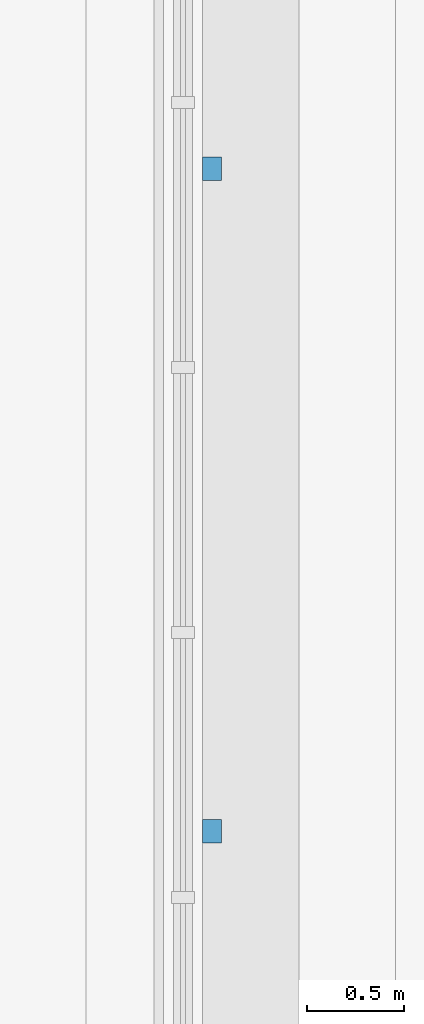
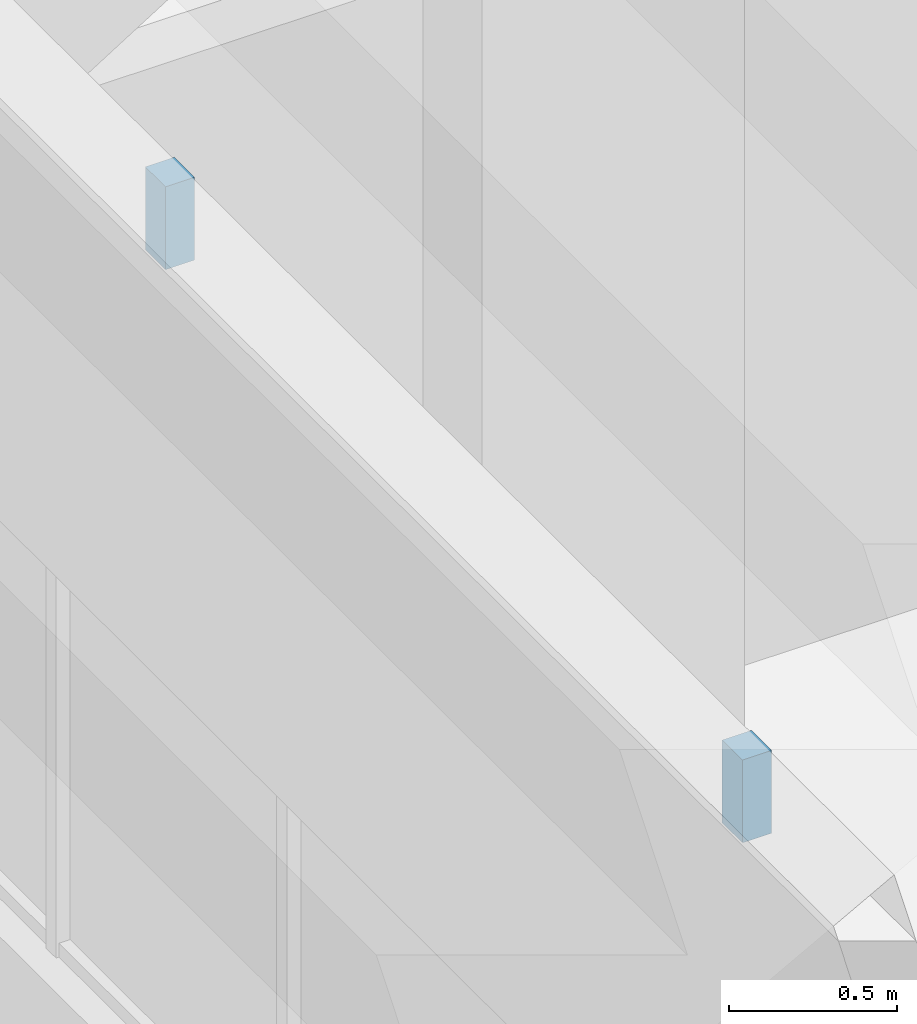
# One storey, part 122 of 182: 2 discrete accessories.
"""IFC4 building model written with IfcOpenShell, lengths in metres."""

import ifcopenshell
import ifcopenshell.guid

model = None  # the IFC model being written
_history = None  # IfcOwnerHistory: only IFC2X3 demands one
_inside = {}  # id of a spatial element -> (the spatial element, [elements in it])
_under = {}  # id of a project, library or spatial element -> (it, [spatial elements below it])
_declared = {}  # id of a project -> (the project, [libraries it declares])
_typed = {}  # id of a type object -> (the type object, [elements of that type])
_made_of = {}  # id of a material, layer set ... -> (it, [elements and type objects made of it])


def new_model(schema):
    """Start an empty IFC model of exactly this schema.

    Asked for "IFC4X3", IfcOpenShell would pick the latest addendum, in which some entities
    have other attributes; the version numbers below select the first issue.
    IFC2X3 requires an IfcOwnerHistory on every rooted entity: one is made here for all.
    """
    global model, _history
    if schema == "IFC4X3":
        model = ifcopenshell.file(schema_version=(4, 3, 0, 0))
    else:
        model = ifcopenshell.file(schema=schema)
    _inside.clear()
    _under.clear()
    _declared.clear()
    _typed.clear()
    _made_of.clear()
    _history = None
    if model.schema == "IFC2X3":
        org = make("IfcOrganization", Name="unknown")
        user = make(
            "IfcPersonAndOrganization",
            ThePerson=make("IfcPerson", FamilyName="unknown"),
            TheOrganization=org,
        )
        app = make(
            "IfcApplication",
            ApplicationDeveloper=org,
            Version="unknown",
            ApplicationFullName="unknown",
            ApplicationIdentifier="unknown",
        )
        _history = make(
            "IfcOwnerHistory",
            OwningUser=user,
            OwningApplication=app,
            ChangeAction="ADDED",
            CreationDate=0,
        )
    return model


def make(cls, **values):
    """One entity of the class cls with the attributes given. An attribute that is None is left unset."""
    return model.create_entity(
        cls, **{name: value for name, value in values.items() if value is not None}
    )


def rooted(cls, **values):
    """An entity with a GlobalId (a new one), such as an element, a storey or a relation."""
    return make(cls, GlobalId=ifcopenshell.guid.new(), OwnerHistory=_history, **values)


def si_unit(unit_type, name, prefix=None):
    """IfcSIUnit, for example si_unit("LENGTHUNIT", "METRE", prefix="MILLI")."""
    return make("IfcSIUnit", UnitType=unit_type, Prefix=prefix, Name=name)


def assignment(units):
    """IfcUnitAssignment: the units of a project."""
    return None if units is None else make("IfcUnitAssignment", Units=units)


def point(xyz):
    """IfcCartesianPoint."""
    return None if xyz is None else make("IfcCartesianPoint", Coordinates=xyz)


def direction(xyz):
    """IfcDirection."""
    return None if xyz is None else make("IfcDirection", DirectionRatios=xyz)


def frame(location, z_axis=None, x_axis=None):
    """IfcAxis2Placement3D, a coordinate frame: its origin and axes. An axis left out is left unset."""
    return make(
        "IfcAxis2Placement3D",
        Location=point(location),
        Axis=direction(z_axis),
        RefDirection=direction(x_axis),
    )


def frame_2d(location, x_axis=None):
    """IfcAxis2Placement2D, a coordinate frame in the plane: its origin and x axis."""
    return make(
        "IfcAxis2Placement2D", Location=point(location), RefDirection=direction(x_axis)
    )


def origin():
    """The frame at (0, 0, 0) with its axes left unset."""
    return frame((0.0, 0.0, 0.0))


def origin_2d():
    """The frame at (0, 0) in the plane with its x axis left unset."""
    return frame_2d((0.0, 0.0))


def place(relative_to, where):
    """IfcLocalPlacement: puts the frame where relative to a parent placement (None: the world)."""
    return make(
        "IfcLocalPlacement", PlacementRelTo=relative_to, RelativePlacement=where
    )


def context(
    kind, dimensions, precision=None, world=None, true_north=None, identifier=None
):
    """IfcGeometricRepresentationContext, for example the 3D "Model" context."""
    return make(
        "IfcGeometricRepresentationContext",
        ContextIdentifier=identifier,
        ContextType=kind,
        CoordinateSpaceDimension=dimensions,
        Precision=precision,
        WorldCoordinateSystem=world,
        TrueNorth=true_north,
    )


def subcontext(parent, identifier, kind, view, scale=None):
    """IfcGeometricRepresentationSubContext, for example "Body" below "Model"."""
    return make(
        "IfcGeometricRepresentationSubContext",
        ContextIdentifier=identifier,
        ContextType=kind,
        ParentContext=parent,
        TargetScale=scale,
        TargetView=view,
    )


def project(units=None, contexts=None):
    """IfcProject with its units and contexts."""
    return rooted(
        "IfcProject",
        Name="project",
        RepresentationContexts=contexts,
        UnitsInContext=assignment(units),
    )


def spatial(cls, under=None, at=None, **own):
    """A site, building, storey or space (cls), placed at a placement, below another one or the project."""
    s = rooted(cls, ObjectPlacement=at, **own)
    if under is not None:
        _under.setdefault(under.id(), (under, []))[1].append(s)
    return s


def profile(cls, at=None, kind="AREA", **sizes):
    """A parametric profile (cls). Its sizes go by their IFC names, for example OverallWidth=200.0."""
    return make(cls, ProfileType=kind, Position=at, **sizes)


def rectangle(**sizes):
    """IfcRectangleProfileDef."""
    return profile("IfcRectangleProfileDef", **sizes)


def extrude(swept, where, along, depth):
    """IfcExtrudedAreaSolid: the profile swept, set in the frame where, extruded along a direction by depth."""
    return make(
        "IfcExtrudedAreaSolid",
        SweptArea=swept,
        Position=where,
        ExtrudedDirection=direction(along),
        Depth=depth,
    )


def shape(context_of_items, identifier, shape_type, items):
    """IfcShapeRepresentation: the items that make up one representation, for example the "Body"."""
    return make(
        "IfcShapeRepresentation",
        ContextOfItems=context_of_items,
        RepresentationIdentifier=identifier,
        RepresentationType=shape_type,
        Items=items,
    )


def material(Name=None, Category=None):
    """IfcMaterial."""
    return make("IfcMaterial", Name=Name, Category=Category)


def made_of(thing, what):
    """Note that an element or type object is made of a material, layer set ...; save() writes the relation."""
    if what is not None:
        _made_of.setdefault(what.id(), (what, []))[1].append(thing)
    return thing


def type_object(cls, material=None, **own):
    """A type object (cls), such as IfcWallType, which elements share."""
    return made_of(rooted(cls, **own), material)


def element(
    cls,
    number,
    at=None,
    inside=None,
    cuts=None,
    type_object=None,
    material=None,
    context=None,
    identifier="Body",
    shape_type=None,
    held_by="IfcProductDefinitionShape",
    body=None,
    shapes=None,
    **own,
):
    """One element of the class cls, such as IfcWall. Its Tag is "e" and its number.

    at: its placement. inside: the storey or other place that contains it. cuts: it is an
    opening in that element (IfcRelVoidsElement). A single representation is given by context,
    identifier, shape_type and body (its items); several are given by shapes. held_by: the class
    of the entity that holds the representations. save() writes the other relations.
    """
    e = rooted(cls, Tag="e%d" % number, ObjectPlacement=at, **own)
    if body is not None:
        shapes = [shape(context, identifier, shape_type, body)]
    if shapes is not None:
        e.Representation = make(held_by, Representations=shapes)
    if inside is not None:
        _inside.setdefault(inside.id(), (inside, []))[1].append(e)
    if cuts is not None:
        rooted(
            "IfcRelVoidsElement", RelatingBuildingElement=cuts, RelatedOpeningElement=e
        )
    if type_object is not None:
        _typed.setdefault(type_object.id(), (type_object, []))[1].append(e)
    return made_of(e, material)


def aggregate(whole, parts):
    """IfcRelAggregates: a whole, such as a stair, and the parts it consists of."""
    return rooted("IfcRelAggregates", RelatingObject=whole, RelatedObjects=parts)


def save(model, path):
    """Write the relations noted so far, then the file.

    IfcRelAggregates (storeys below a building ...), IfcRelContainedInSpatialStructure (elements
    in a storey), IfcRelDefinesByType, IfcRelAssociatesMaterial and IfcRelDeclares: one each for
    every whole, place, type object, material and project.
    """
    for whole, parts in _under.values():
        aggregate(whole, parts)
    for where, things in _inside.values():
        rooted(
            "IfcRelContainedInSpatialStructure",
            RelatedElements=things,
            RelatingStructure=where,
        )
    for kind, things in _typed.values():
        rooted("IfcRelDefinesByType", RelatedObjects=things, RelatingType=kind)
    for what, things in _made_of.values():
        rooted("IfcRelAssociatesMaterial", RelatedObjects=things, RelatingMaterial=what)
    for by, libraries in _declared.values():
        rooted("IfcRelDeclares", RelatingContext=by, RelatedDefinitions=libraries)
    model.write(path)


model = new_model("IFC4")

# Units and contexts
model_context = context("Model", 3, precision=1e-05, world=origin(), true_north=direction((0.0, 1.0)))
body_context = subcontext(model_context, "Body", "Model", "MODEL_VIEW")
ifc_project = project(units=[si_unit("LENGTHUNIT", "METRE"), si_unit("AREAUNIT", "SQUARE_METRE"), si_unit("VOLUMEUNIT", "CUBIC_METRE"), si_unit("PLANEANGLEUNIT", "RADIAN"), si_unit("MASSUNIT", "GRAM", prefix="KILO")], contexts=[model_context])

# Site, building, storey
site_placement = place(None, origin())
site = spatial("IfcSite", under=ifc_project, at=site_placement, CompositionType="ELEMENT")
building_placement = place(site_placement, origin())
building = spatial("IfcBuilding", under=site, at=building_placement, Name="Silverbay Arena", CompositionType="ELEMENT")
storey_placement = place(building_placement, frame((0.0, 0.0, 11.5)))
storey = spatial("IfcBuildingStorey", under=building, at=storey_placement, Name="L02", CompositionType="ELEMENT", Elevation=11.5)

# Discrete accessories
ifc_material = material(Name="Steel S355", Category="steel")
discrete_accessory_type = type_object("IfcDiscreteAccessoryType", Name="Steel bracket plate", PredefinedType="BRACKET", material=ifc_material)
for number, where, z_axis, x_axis, name in (
    (1, (177.550048828125, 84.512451171875, 3.76416015625), (0.0, 0.0, 1.0), (0.0, 1.0, 0.0), "Fascia hanger bracket"),
    (2, (177.550048828125, 87.9375, 3.76416015625), (0.0, 0.0, 1.0), (0.0, 1.0, 0.0), "Fascia hanger bracket"),
):
    element("IfcDiscreteAccessory", number, at=place(storey_placement, frame(where, z_axis=z_axis, x_axis=x_axis)), inside=storey, type_object=discrete_accessory_type, Name=name, PredefinedType="BRACKET", context=body_context, shape_type="SweptSolid", body=[
        extrude(rectangle(XDim=0.1201171875, YDim=0.10009765625, at=origin_2d()), origin(), (0.0, 0.0, 1.0), 0.300048828125),
    ])

save(model, "model.ifc")
